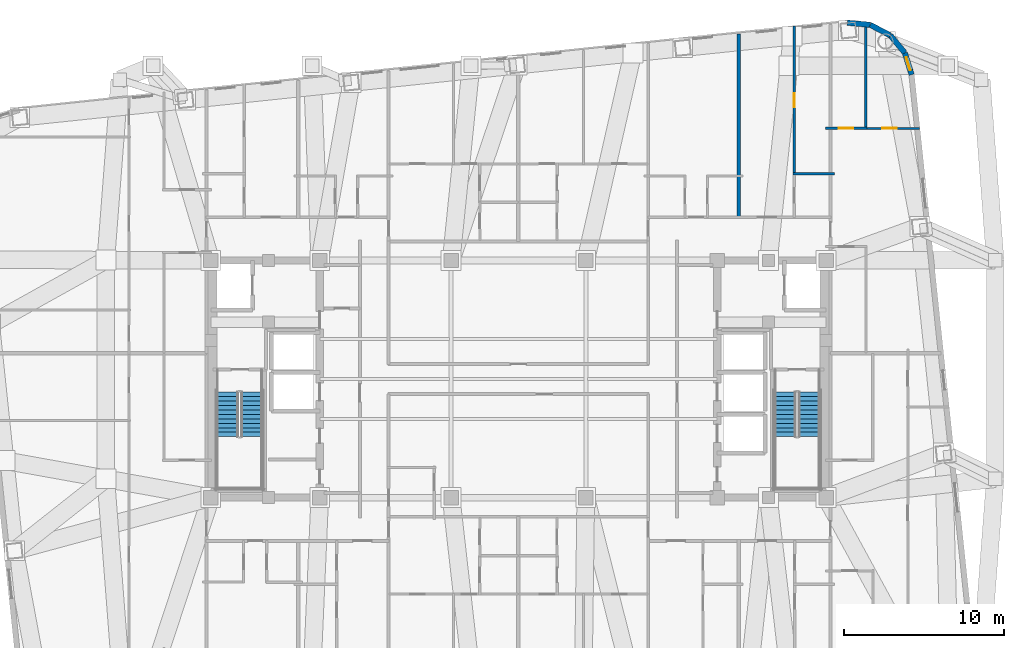
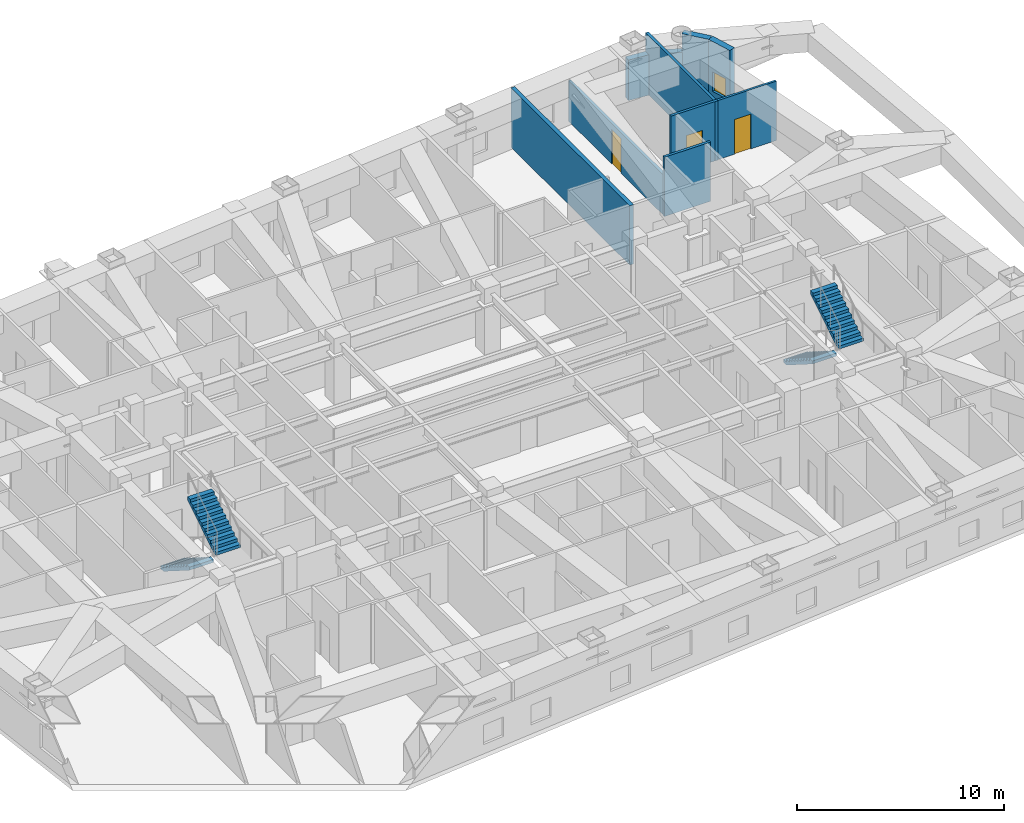
# One storey, part 11 of 13: 10 walls, 4 stair flights, 3 doors, 1 window, 4 openings, 2 elements without a shape of their own.
"""IFC4 building model written with IfcOpenShell, lengths in metres."""

from ifc_helpers import new_model, si_unit, direction, frame, frame_2d, origin, place, context, subcontext, project, spatial, polyline, rectangle, outline, extrude, material, layer, layer_set, type_object, element, fill, aggregate, save


model = new_model("IFC4")

# Units and contexts
model_context = context("Model", 3, precision=1e-05, world=origin(), true_north=direction((0.0, 1.0)))
body_context = subcontext(model_context, "Body", "Model", "MODEL_VIEW")
ifc_project = project(units=[si_unit("LENGTHUNIT", "METRE"), si_unit("AREAUNIT", "SQUARE_METRE"), si_unit("VOLUMEUNIT", "CUBIC_METRE"), si_unit("PLANEANGLEUNIT", "RADIAN"), si_unit("MASSUNIT", "GRAM", prefix="KILO")], contexts=[model_context])

# Site, building, storey
site_placement = place(None, origin())
site = spatial("IfcSite", under=ifc_project, at=site_placement, CompositionType="ELEMENT")
building_placement = place(site_placement, origin())
building = spatial("IfcBuilding", under=site, at=building_placement, Name="Voryun Gate Residences", CompositionType="ELEMENT")
storey_placement = place(building_placement, frame((0.0, 0.0, 191.10009765625)))
storey = spatial("IfcBuildingStorey", under=building, at=storey_placement, Name="L47", CompositionType="ELEMENT", Elevation=191.10009765625)

# Walls
ifc_material_1 = material(Name="Charcoal terracotta masonry", Category="masonry")
ifc_layer_1 = layer(ifc_material_1, 0.340087890625, Name="W_EXT_TERRACOTTA_340")
ifc_layer_set_1 = layer_set([ifc_layer_1], Name="Charcoal terracotta masonry")
wall_type_1 = type_object("IfcWallType", Name="W_EXT_TERRACOTTA_340", PredefinedType="ELEMENTEDWALL", material=ifc_layer_set_1)
wall_1_placement = place(storey_placement, frame((20.5263671875, 22.235107421875, 0.0), z_axis=(0.0, 0.0, 1.0), x_axis=(0.995800460351, -0.091550222087, 0.0)))
element("IfcWall", 1, at=wall_1_placement, inside=storey, type_object=wall_type_1, Name="Exterior wall WEXT-L47-12", PredefinedType="ELEMENTEDWALL", context=body_context, shape_type="SweptSolid", body=[
    extrude(rectangle(XDim=1.43212890625, YDim=0.340087890625, at=frame_2d((0.716064453125, 0.0))), origin(), (0.0, 0.0, 1.0), 2.389892578125),
])
wall_2_placement = place(storey_placement, frame((21.952392578125, 22.10400390625, 0.0), z_axis=(0.0, 0.0, 1.0), x_axis=(0.885023004245, -0.465547292933, 0.0)))
element("IfcWall", 2, at=wall_2_placement, inside=storey, type_object=wall_type_1, Name="Exterior wall WEXT-L47-13", PredefinedType="ELEMENTEDWALL", context=body_context, shape_type="SweptSolid", body=[
    extrude(rectangle(XDim=1.414794921875, YDim=0.340087890625, at=frame_2d((0.70751953125, 0.0))), origin(), (0.0, 0.0, 1.0), 2.389892578125),
])
wall_3_placement = place(storey_placement, frame((23.20458984375, 21.4453125, 0.0), z_axis=(0.0, 0.0, 1.0), x_axis=(0.639539337522, -0.768758372808, 0.0)))
element("IfcWall", 3, at=wall_3_placement, inside=storey, type_object=wall_type_1, Name="Exterior wall WEXT-L47-14", PredefinedType="ELEMENTEDWALL", context=body_context, shape_type="SweptSolid", body=[
    extrude(rectangle(XDim=1.4150390625, YDim=0.340087890625, at=frame_2d((0.70751953125, 0.0))), origin(), (0.0, 0.0, 1.0), 3.5),
])

# Wall, opening, window
wall_4_placement = place(storey_placement, frame((24.109619140625, 20.357421875, 0.0), z_axis=(0.0, 0.0, 1.0), x_axis=(0.296420660287, -0.955057481074, 0.0)))
wall_4 = element("IfcWall", 4, at=wall_4_placement, inside=storey, type_object=wall_type_1, Name="Exterior wall WEXT-L47-15", PredefinedType="ELEMENTEDWALL", context=body_context, shape_type="SweptSolid", body=[
    extrude(rectangle(XDim=1.432373046875, YDim=0.340087890625, at=frame_2d((0.71630859375, 0.0))), origin(), (0.0, 0.0, 1.0), 3.5),
])
opening_1_placement = place(wall_4_placement, frame((0.291015625, 0.0, 0.550048828125)))
opening_1 = element("IfcOpeningElement", 5, at=opening_1_placement, cuts=wall_4, Name="Opening WN9", PredefinedType="OPENING", context=body_context, shape_type="SweptSolid", body=[
    extrude(rectangle(XDim=0.85009765625, YDim=1.14990234375, at=frame_2d((0.425048828125, 0.574951171875))), frame((0.0, 0.179931640625, 0.0), z_axis=(0.0, -1.0, 0.0), x_axis=(1.0, 0.0, 0.0)), (0.0, 0.0, 1.0), 0.360107421875),
])
ifc_material_2 = material(Name="Laminated low-E glass", Category="glass")
window_type = type_object("IfcWindowType", Name="WN_RES_CASEMENT_850", PartitioningType="SINGLE_PANEL", PredefinedType="WINDOW", material=ifc_material_2)
window_placement = place(opening_1_placement, origin())
window = element("IfcWindow", 6, at=window_placement, inside=storey, type_object=window_type, Name="Window WN-L47-DWFIX-29", OverallHeight=1.14990234375, OverallWidth=0.85009765625, PartitioningType="SINGLE_PANEL", PredefinedType="WINDOW", context=body_context, shape_type="SweptSolid", body=[
    extrude(rectangle(XDim=0.85009765625, YDim=1.14990234375, at=frame_2d((0.425048828125, 0.574951171875))), frame((0.0, 0.030029296875, 0.0), z_axis=(0.0, -1.0, 0.0), x_axis=(1.0, 0.0, 0.0)), (0.0, 0.0, 1.0), 0.06005859375),
])
fill(opening_1, window)

# Wall
ifc_material_3 = material(Name="Concrete C40/50", Category="concrete")
ifc_layer_2 = layer(ifc_material_3, 0.219970703125, Name="W_PARTY_ACOUSTIC_220")
ifc_layer_set_2 = layer_set([ifc_layer_2], Name="Concrete C40/50")
wall_type_2 = type_object("IfcWallType", Name="W_PARTY_ACOUSTIC_220", PredefinedType="PARTITIONING", material=ifc_layer_set_2)
wall_5_placement = place(storey_placement, frame((13.739990234375, 10.02001953125, 0.0), z_axis=(0.0, 0.0, 1.0), x_axis=(0.0, 1.0, 0.0)))
element("IfcWall", 7, at=wall_5_placement, inside=storey, type_object=wall_type_2, Name="Partition wall WP-L47-NPTY-4", PredefinedType="PARTITIONING", context=body_context, shape_type="SweptSolid", body=[
    extrude(rectangle(XDim=11.501953125, YDim=0.219970703125, at=frame_2d((5.7509765625, 0.0))), origin(), (0.0, 0.0, 1.0), 3.5),
])

# Wall, opening, door
ifc_material_4 = material(Name="Gypsum acoustic partition")
ifc_layer_3 = layer(ifc_material_4, 0.125, Name="W_UNIT_PART_125")
ifc_layer_set_3 = layer_set([ifc_layer_3], Name="Gypsum acoustic partition")
wall_type_3 = type_object("IfcWallType", Name="W_UNIT_PART_125", PredefinedType="PARTITIONING", material=ifc_layer_set_3)
wall_6_placement = place(storey_placement, frame((21.615966796875, 15.64208984375, 0.0), z_axis=(0.0, 0.0, 1.0), x_axis=(1.0, 0.0, 0.0)))
wall_6 = element("IfcWall", 8, at=wall_6_placement, inside=storey, type_object=wall_type_3, Name="Partition wall WP-L47-E2-OHZ", PredefinedType="PARTITIONING", context=body_context, shape_type="SweptSolid", body=[
    extrude(rectangle(XDim=3.4208984375, YDim=0.125, at=frame_2d((1.71044921875, 0.0))), origin(), (0.0, 0.0, 1.0), 3.5),
])
opening_2_placement = place(wall_6_placement, frame((1.08935546875, 0.0, 0.0)))
opening_2 = element("IfcOpeningElement", 9, at=opening_2_placement, cuts=wall_6, Name="Opening D-INT-2", PredefinedType="OPENING", context=body_context, shape_type="SweptSolid", body=[
    extrude(rectangle(XDim=0.89990234375, YDim=2.050048828125, at=frame_2d((0.449951171875, 1.02490234375))), frame((0.0, 0.072509765625, 0.0), z_axis=(0.0, -1.0, 0.0), x_axis=(1.0, 0.0, 0.0)), (0.0, 0.0, 1.0), 0.14501953125),
])
ifc_material_5 = material(Name="Architectural oak veneer")
door_type = type_object("IfcDoorType", Name="DR_INT_BATH_900", OperationType="NOTDEFINED", PredefinedType="DOOR", material=ifc_material_5)
door_1_placement = place(opening_2_placement, origin())
door_1 = element("IfcDoor", 10, at=door_1_placement, inside=storey, type_object=door_type, Name="Door DR-L47-E2-DMB", OperationType="SINGLE_SWING_LEFT", OverallHeight=2.050048828125, OverallWidth=0.89990234375, PredefinedType="DOOR", context=body_context, shape_type="SweptSolid", body=[
    extrude(rectangle(XDim=0.89990234375, YDim=2.050048828125, at=frame_2d((0.449951171875, 1.02490234375))), frame((0.0, 0.02490234375, 0.0), z_axis=(0.0, -1.0, 0.0), x_axis=(1.0, 0.0, 0.0)), (0.0, 0.0, 1.0), 0.050048828125),
])
fill(opening_2, door_1)

# Wall
ifc_material_6 = material(Name="Gypsum moisture-resistant partition")
ifc_layer_4 = layer(ifc_material_6, 0.14990234375, Name="W_WET_PLUMB_150")
ifc_layer_set_4 = layer_set([ifc_layer_4], Name="Gypsum moisture-resistant partition")
wall_type_4 = type_object("IfcWallType", Name="W_WET_PLUMB_150", PredefinedType="PLUMBINGWALL", material=ifc_layer_set_4)
wall_7_placement = place(storey_placement, frame((17.135986328125, 12.800048828125, 0.0), z_axis=(0.0, 0.0, 1.0), x_axis=(1.0, 0.0, 0.0)))
element("IfcWall", 11, at=wall_7_placement, inside=storey, type_object=wall_type_4, Name="Partition wall WP-L47-N5-SKB", PredefinedType="PLUMBINGWALL", context=body_context, shape_type="SweptSolid", body=[
    extrude(rectangle(XDim=2.583984375, YDim=0.14990234375, at=frame_2d((1.2919921875, 0.0))), origin(), (0.0, 0.0, 1.0), 3.5),
])

# Wall, opening, door
wall_8_placement = place(storey_placement, frame((17.216064453125, 12.760009765625, 0.0), z_axis=(0.0, 0.0, 1.0), x_axis=(0.0, 1.0, 0.0)))
wall_8 = element("IfcWall", 12, at=wall_8_placement, inside=storey, type_object=wall_type_4, Name="Partition wall WP-L47-N5-SVT2", PredefinedType="PLUMBINGWALL", context=body_context, shape_type="SweptSolid", body=[
    extrude(rectangle(XDim=9.278076171875, YDim=0.14990234375, at=frame_2d((4.63916015625, 0.0))), origin(), (0.0, 0.0, 1.0), 2.389892578125),
])
opening_3_placement = place(wall_8_placement, frame((4.18896484375, 0.0, 0.0)))
opening_3 = element("IfcOpeningElement", 13, at=opening_3_placement, cuts=wall_8, Name="Opening D-INT-2", PredefinedType="OPENING", context=body_context, shape_type="SweptSolid", body=[
    extrude(rectangle(XDim=0.89990234375, YDim=2.050048828125, at=frame_2d((0.449951171875, 1.02490234375))), frame((0.0, 0.0849609375, 0.0), z_axis=(0.0, -1.0, 0.0), x_axis=(1.0, 0.0, 0.0)), (0.0, 0.0, 1.0), 0.169921875),
])
door_2_placement = place(opening_3_placement, origin())
door_2 = element("IfcDoor", 14, at=door_2_placement, inside=storey, type_object=door_type, Name="Door DR-L47-N5-DK", OperationType="SINGLE_SWING_RIGHT", OverallHeight=2.050048828125, OverallWidth=0.89990234375, PredefinedType="DOOR", context=body_context, shape_type="SweptSolid", body=[
    extrude(rectangle(XDim=0.89990234375, YDim=2.050048828125, at=frame_2d((0.449951171875, 1.02490234375))), frame((0.0, 0.02490234375, 0.0), z_axis=(0.0, -1.0, 0.0), x_axis=(1.0, 0.0, 0.0)), (0.0, 0.0, 1.0), 0.050048828125),
])
fill(opening_3, door_2)

wall_9_placement = place(storey_placement, frame((19.14990234375, 15.64208984375, 0.0), z_axis=(0.0, 0.0, 1.0), x_axis=(1.0, 0.0, 0.0)))
wall_9 = element("IfcWall", 15, at=wall_9_placement, inside=storey, type_object=wall_type_4, Name="Partition wall WP-L47-E2-IBB", PredefinedType="PLUMBINGWALL", context=body_context, shape_type="SweptSolid", body=[
    extrude(rectangle(XDim=2.606201171875, YDim=0.14990234375, at=frame_2d((1.30322265625, 0.0))), origin(), (0.0, 0.0, 1.0), 3.5),
])
opening_4_placement = place(wall_9_placement, frame((0.85302734375, 0.0, 0.0)))
opening_4 = element("IfcOpeningElement", 16, at=opening_4_placement, cuts=wall_9, Name="Opening D-INT-2", PredefinedType="OPENING", context=body_context, shape_type="SweptSolid", body=[
    extrude(rectangle(XDim=0.89990234375, YDim=2.050048828125, at=frame_2d((0.449951171875, 1.02490234375))), frame((0.0, 0.0849609375, 0.0), z_axis=(0.0, -1.0, 0.0), x_axis=(1.0, 0.0, 0.0)), (0.0, 0.0, 1.0), 0.169921875),
])
door_3_placement = place(opening_4_placement, origin())
door_3 = element("IfcDoor", 17, at=door_3_placement, inside=storey, type_object=door_type, Name="Door DR-L47-E2-DB", OperationType="SINGLE_SWING_RIGHT", OverallHeight=2.050048828125, OverallWidth=0.89990234375, PredefinedType="DOOR", context=body_context, shape_type="SweptSolid", body=[
    extrude(rectangle(XDim=0.89990234375, YDim=2.050048828125, at=frame_2d((0.449951171875, 1.02490234375))), frame((0.0, 0.02490234375, 0.0), z_axis=(0.0, -1.0, 0.0), x_axis=(1.0, 0.0, 0.0)), (0.0, 0.0, 1.0), 0.050048828125),
])
fill(opening_4, door_3)

# Wall
wall_10_placement = place(storey_placement, frame((21.676025390625, 15.56201171875, 0.0), z_axis=(0.0, 0.0, 1.0), x_axis=(0.0, 1.0, 0.0)))
element("IfcWall", 18, at=wall_10_placement, inside=storey, type_object=wall_type_4, Name="Partition wall WP-L47-E2-VTB", PredefinedType="PLUMBINGWALL", context=body_context, shape_type="SweptSolid", body=[
    extrude(rectangle(XDim=6.71826171875, YDim=0.14990234375, at=frame_2d((3.359130859375, 0.0))), origin(), (0.0, 0.0, 1.0), 3.5),
])

# Stair, stair flights
ifc_material_7 = material(Name="Concrete C40/50", Category="concrete")
stair_type = type_object("IfcStairType", Name="STR_CORE_DOGLEG_1350", PredefinedType="HALF_TURN_STAIR", material=ifc_material_7)
stair_1_placement = place(storey_placement, origin())
stair_1 = element("IfcStair", 19, at=stair_1_placement, inside=storey, type_object=stair_type, Name="L47 Special Escape Stair ST-W1", PredefinedType="HALF_TURN_STAIR")
ifc_material_8 = material(Name="Concrete C40/50", Category="concrete")
stair_flight_type = type_object("IfcStairFlightType", Name="FLT_CORE_1350", PredefinedType="STRAIGHT", material=ifc_material_8)
stair_flight_1_placement = place(storey_placement, frame((-18.14990234375, -0.800048828125, 0.0), z_axis=(0.0, 0.0, 1.0), x_axis=(0.0, -1.0, 0.0)))
stair_flight_1 = element("IfcStairFlight", 20, at=stair_flight_1_placement, type_object=stair_flight_type, Name="ST-W1 flight 1", NumberOfRisers=11, NumberOfTreads=10, PredefinedType="STRAIGHT", RiserHeight=0.177272727, TreadLength=0.28, context=body_context, shape_type="SweptSolid", body=[
    extrude(outline(polyline([(0.0, 0.0), (0.0, 0.17724609375), (0.280029296875, 0.17724609375), (0.280029296875, 0.3544921875), (0.56005859375, 0.3544921875), (0.56005859375, 0.53173828125), (0.840087890625, 0.53173828125), (0.840087890625, 0.708984375), (1.1201171875, 0.708984375), (1.1201171875, 0.886474609375), (1.39990234375, 0.886474609375), (1.39990234375, 1.063720703125), (1.679931640625, 1.063720703125), (1.679931640625, 1.240966796875), (1.9599609375, 1.240966796875), (1.9599609375, 1.418212890625), (2.239990234375, 1.418212890625), (2.239990234375, 1.595458984375), (2.52001953125, 1.595458984375), (2.52001953125, 1.772705078125), (2.800048828125, 1.772705078125), (2.800048828125, 1.949951171875), (2.800048828125, 1.59521484375), (0.2802734375, 0.0), (0.0, 0.0)])), frame((0.0, 0.675048828125, 0.0), z_axis=(0.0, -1.0, 0.0), x_axis=(1.0, 0.0, 0.0)), (0.0, 0.0, 1.0), 1.35009765625),
])
stair_flight_2_placement = place(storey_placement, frame((-16.64990234375, -3.60009765625, 1.949951171875), z_axis=(0.0, 0.0, 1.0), x_axis=(0.0, 1.0, 0.0)))
stair_flight_2 = element("IfcStairFlight", 21, at=stair_flight_2_placement, type_object=stair_flight_type, Name="ST-W1 flight 2", NumberOfRisers=11, NumberOfTreads=10, PredefinedType="STRAIGHT", RiserHeight=0.177272727, TreadLength=0.28, context=body_context, shape_type="SweptSolid", body=[
    extrude(outline(polyline([(0.0, 0.0), (0.0, 0.17724609375), (0.280029296875, 0.17724609375), (0.280029296875, 0.3544921875), (0.56005859375, 0.3544921875), (0.56005859375, 0.53173828125), (0.840087890625, 0.53173828125), (0.840087890625, 0.708984375), (1.1201171875, 0.708984375), (1.1201171875, 0.886474609375), (1.39990234375, 0.886474609375), (1.39990234375, 1.063720703125), (1.679931640625, 1.063720703125), (1.679931640625, 1.240966796875), (1.9599609375, 1.240966796875), (1.9599609375, 1.418212890625), (2.239990234375, 1.418212890625), (2.239990234375, 1.595458984375), (2.52001953125, 1.595458984375), (2.52001953125, 1.772705078125), (2.800048828125, 1.772705078125), (2.800048828125, 1.949951171875), (2.800048828125, 1.59521484375), (0.2802734375, 0.0), (0.0, 0.0)])), frame((0.0, 0.675048828125, 0.0), z_axis=(0.0, -1.0, 0.0), x_axis=(1.0, 0.0, 0.0)), (0.0, 0.0, 1.0), 1.35009765625),
])
aggregate(stair_1, [stair_flight_1, stair_flight_2])

stair_2_placement = place(storey_placement, origin())
stair_2 = element("IfcStair", 22, at=stair_2_placement, inside=storey, type_object=stair_type, Name="L47 Special Escape Stair ST-E1", PredefinedType="HALF_TURN_STAIR")
stair_flight_3_placement = place(storey_placement, frame((16.64990234375, -0.800048828125, 0.0), z_axis=(0.0, 0.0, 1.0), x_axis=(0.0, -1.0, 0.0)))
stair_flight_3 = element("IfcStairFlight", 23, at=stair_flight_3_placement, type_object=stair_flight_type, Name="ST-E1 flight 1", NumberOfRisers=11, NumberOfTreads=10, PredefinedType="STRAIGHT", RiserHeight=0.177272727, TreadLength=0.28, context=body_context, shape_type="SweptSolid", body=[
    extrude(outline(polyline([(0.0, 0.0), (0.0, 0.17724609375), (0.280029296875, 0.17724609375), (0.280029296875, 0.3544921875), (0.56005859375, 0.3544921875), (0.56005859375, 0.53173828125), (0.840087890625, 0.53173828125), (0.840087890625, 0.708984375), (1.1201171875, 0.708984375), (1.1201171875, 0.886474609375), (1.39990234375, 0.886474609375), (1.39990234375, 1.063720703125), (1.679931640625, 1.063720703125), (1.679931640625, 1.240966796875), (1.9599609375, 1.240966796875), (1.9599609375, 1.418212890625), (2.239990234375, 1.418212890625), (2.239990234375, 1.595458984375), (2.52001953125, 1.595458984375), (2.52001953125, 1.772705078125), (2.800048828125, 1.772705078125), (2.800048828125, 1.949951171875), (2.800048828125, 1.59521484375), (0.2802734375, 0.0), (0.0, 0.0)])), frame((0.0, 0.675048828125, 0.0), z_axis=(0.0, -1.0, 0.0), x_axis=(1.0, 0.0, 0.0)), (0.0, 0.0, 1.0), 1.35009765625),
])
stair_flight_4_placement = place(storey_placement, frame((18.14990234375, -3.60009765625, 1.949951171875), z_axis=(0.0, 0.0, 1.0), x_axis=(0.0, 1.0, 0.0)))
stair_flight_4 = element("IfcStairFlight", 24, at=stair_flight_4_placement, type_object=stair_flight_type, Name="ST-E1 flight 2", NumberOfRisers=11, NumberOfTreads=10, PredefinedType="STRAIGHT", RiserHeight=0.177272727, TreadLength=0.28, context=body_context, shape_type="SweptSolid", body=[
    extrude(outline(polyline([(0.0, 0.0), (0.0, 0.17724609375), (0.280029296875, 0.17724609375), (0.280029296875, 0.3544921875), (0.56005859375, 0.3544921875), (0.56005859375, 0.53173828125), (0.840087890625, 0.53173828125), (0.840087890625, 0.708984375), (1.1201171875, 0.708984375), (1.1201171875, 0.886474609375), (1.39990234375, 0.886474609375), (1.39990234375, 1.063720703125), (1.679931640625, 1.063720703125), (1.679931640625, 1.240966796875), (1.9599609375, 1.240966796875), (1.9599609375, 1.418212890625), (2.239990234375, 1.418212890625), (2.239990234375, 1.595458984375), (2.52001953125, 1.595458984375), (2.52001953125, 1.772705078125), (2.800048828125, 1.772705078125), (2.800048828125, 1.949951171875), (2.800048828125, 1.59521484375), (0.2802734375, 0.0), (0.0, 0.0)])), frame((0.0, 0.675048828125, 0.0), z_axis=(0.0, -1.0, 0.0), x_axis=(1.0, 0.0, 0.0)), (0.0, 0.0, 1.0), 1.35009765625),
])
aggregate(stair_2, [stair_flight_3, stair_flight_4])

save(model, "model.ifc")
